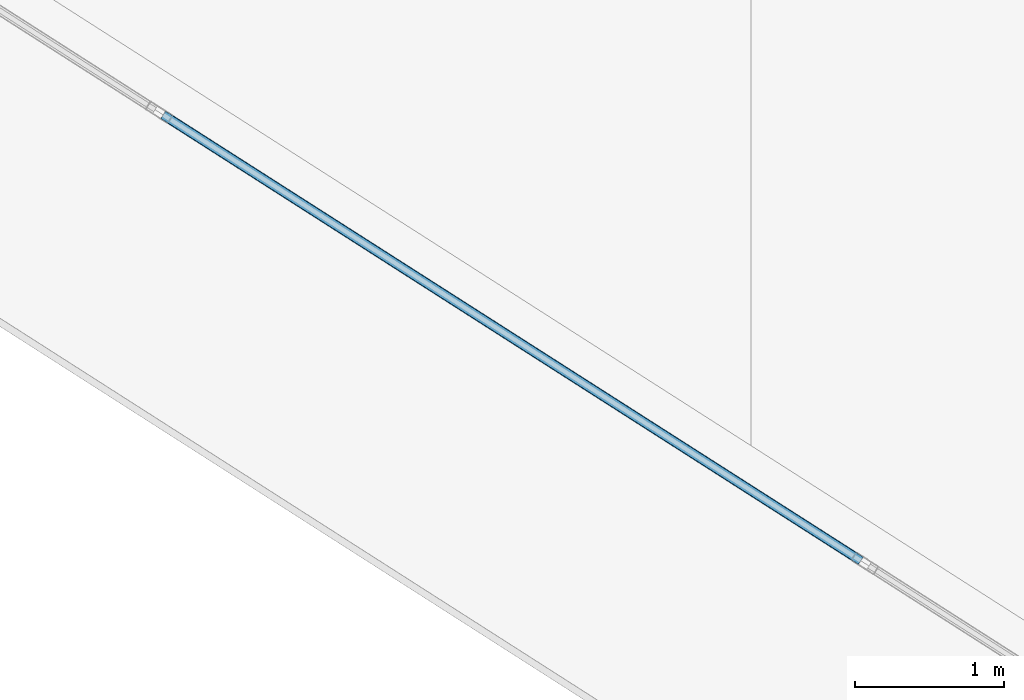
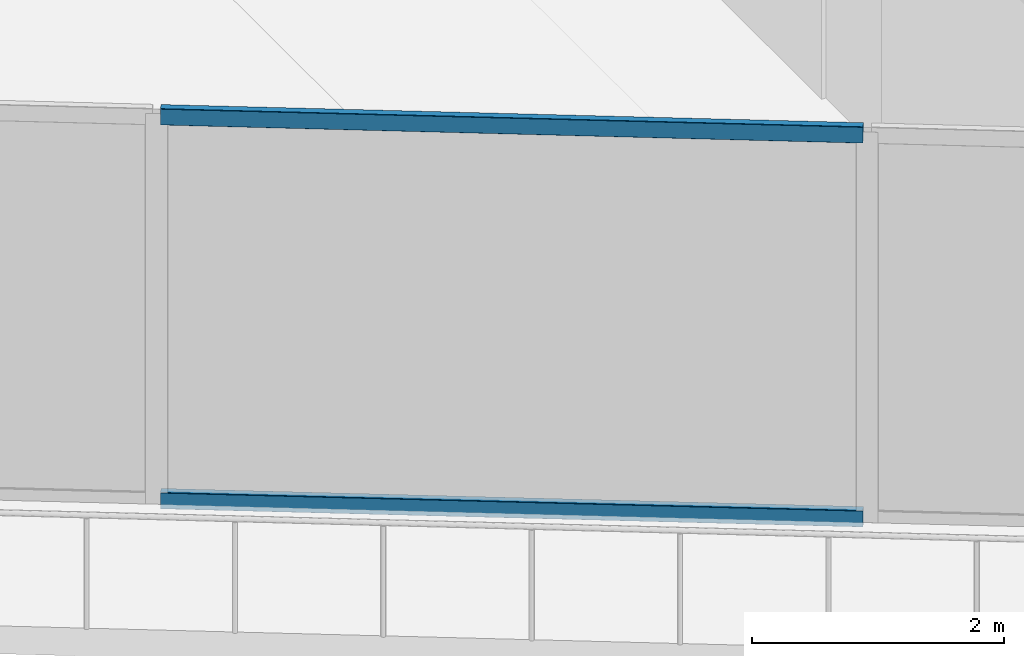
# One storey, part 6 of 36: 2 members, 1 element without a shape of its own.
"""IFC4 building model written with IfcOpenShell, lengths in metres."""

from ifc_helpers import new_model, si_unit, direction, frame, origin, origin_2d, place, context, subcontext, project, spatial, hollow_rectangle, extrude, material, layer, layer_set, material_profile, profile_set, type_object, element, aggregate, save


model = new_model("IFC4")

# Units and contexts
model_context = context("Model", 3, precision=1e-05, world=origin(), true_north=direction((0.0, 1.0)))
body_context = subcontext(model_context, "Body", "Model", "MODEL_VIEW")
ifc_project = project(units=[si_unit("LENGTHUNIT", "METRE"), si_unit("AREAUNIT", "SQUARE_METRE"), si_unit("VOLUMEUNIT", "CUBIC_METRE"), si_unit("PLANEANGLEUNIT", "RADIAN"), si_unit("MASSUNIT", "GRAM", prefix="KILO")], contexts=[model_context])

# Site, building, storey
site_placement = place(None, origin())
site = spatial("IfcSite", under=ifc_project, at=site_placement, CompositionType="ELEMENT")
building_placement = place(site_placement, origin())
building = spatial("IfcBuilding", under=site, at=building_placement, Name="Qorvath Tower", CompositionType="ELEMENT")
storey_placement = place(building_placement, frame((0.0, 0.0, 192.89990234375)))
storey = spatial("IfcBuildingStorey", under=building, at=storey_placement, Name="L44", CompositionType="ELEMENT", Elevation=192.89990234375)

# Curtain wall, members
ifc_material_1 = material(Name="Anodised aluminium and triple low-E glass", Category="aluminium")
ifc_layer = layer(ifc_material_1, 0.179931640625)
ifc_layer_set = layer_set([ifc_layer], Name="CW-SYS-3")
curtain_wall_type = type_object("IfcCurtainWallType", Name="CW-SYS-3", PredefinedType="NOTDEFINED", material=ifc_layer_set)
curtain_wall_placement = place(storey_placement, origin())
curtain_wall = element("IfcCurtainWall", 1, at=curtain_wall_placement, inside=storey, type_object=curtain_wall_type, Name="Curtain Wall CW-3 CW-T-L44-2.1", PredefinedType="NOTDEFINED")
ifc_material_2 = material(Name="Anodised aluminium 6063-T6", Category="aluminium")
ifc_material_profile = material_profile(ifc_material_2, hollow_rectangle(XDim=0.06494140625, YDim=0.159912109375, WallThickness=0.00341796875, InnerFilletRadius=0.00341796875, OuterFilletRadius=0.007080078125, at=origin_2d()), Name="CWT 160x65")
ifc_profile_set = profile_set([ifc_material_profile], Name="Anodised aluminium 6063-T6")
member_type = type_object("IfcMemberType", Name="CWT-160", PredefinedType="USERDEFINED", material=ifc_profile_set)
member_1_placement = place(storey_placement, frame((-45.23046875, -9.563720703125, 0.032470703125), z_axis=(0.842606844645, -0.538529205667, 0.0), x_axis=(0.538529205667, 0.842606844645, 0.0)))
member_1 = element("IfcMember", 2, at=member_1_placement, type_object=member_type, Name="CW-3 transom 3.1", ObjectType="TRANSOM", PredefinedType="USERDEFINED", context=body_context, shape_type="SweptSolid", body=[
    extrude(hollow_rectangle(XDim=0.06494140625, YDim=0.159912109375, WallThickness=0.00341796875, InnerFilletRadius=0.00341796875, OuterFilletRadius=0.007080078125, at=origin_2d()), origin(), (0.0, 0.0, 1.0), 5.5751953125),
])
member_2_placement = place(storey_placement, frame((-45.23046875, -9.563720703125, 3.74755859375), z_axis=(0.842606844645, -0.538529205667, 0.0), x_axis=(0.538529205667, 0.842606844645, 0.0)))
member_2 = element("IfcMember", 3, at=member_2_placement, type_object=member_type, Name="CW-3 transom 3.2", ObjectType="TRANSOM", PredefinedType="USERDEFINED", context=body_context, shape_type="SweptSolid", body=[
    extrude(hollow_rectangle(XDim=0.06494140625, YDim=0.159912109375, WallThickness=0.00341796875, InnerFilletRadius=0.00341796875, OuterFilletRadius=0.007080078125, at=origin_2d()), origin(), (0.0, 0.0, 1.0), 5.5751953125),
])
aggregate(curtain_wall, [member_1, member_2])

save(model, "model.ifc")
